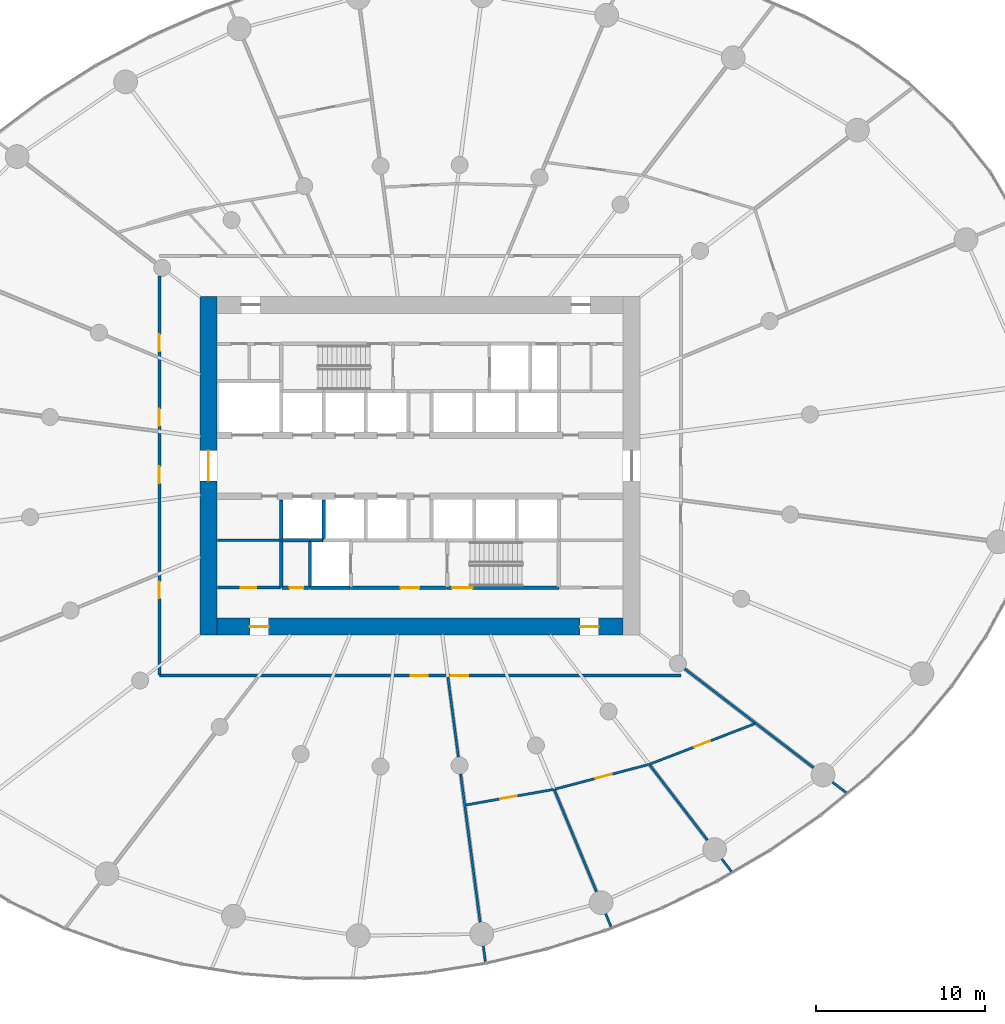
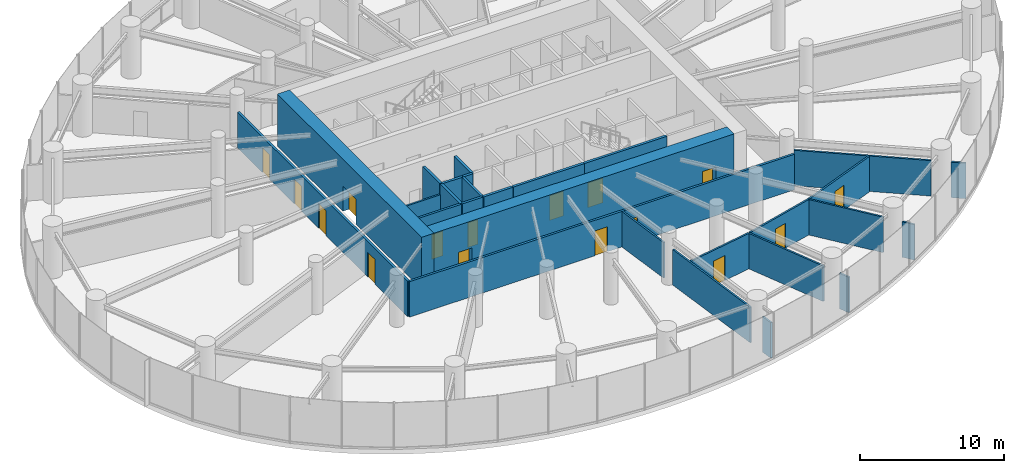
# One storey, part 11 of 18: 28 walls, 16 doors, 16 openings.
"""IFC4 building model written with IfcOpenShell, lengths in metres."""

from ifc_helpers import new_model, si_unit, direction, frame, frame_2d, origin, place, context, subcontext, project, spatial, rectangle, extrude, source, transform, mapped, material, layer, layer_set, type_object, element, fill, save


model = new_model("IFC4")

# Units and contexts
model_context = context("Model", 3, precision=1e-05, world=origin(), true_north=direction((0.0, 1.0)))
body_context = subcontext(model_context, "Body", "Model", "MODEL_VIEW")
ifc_project = project(units=[si_unit("LENGTHUNIT", "METRE"), si_unit("AREAUNIT", "SQUARE_METRE"), si_unit("VOLUMEUNIT", "CUBIC_METRE"), si_unit("PLANEANGLEUNIT", "RADIAN"), si_unit("MASSUNIT", "GRAM", prefix="KILO")], contexts=[model_context])

# Site, building, storey
site_placement = place(None, origin())
site = spatial("IfcSite", under=ifc_project, at=site_placement, CompositionType="ELEMENT")
building_placement = place(site_placement, origin())
building = spatial("IfcBuilding", under=site, at=building_placement, Name="Spindrift Exchange Tower", CompositionType="ELEMENT")
storey_placement = place(building_placement, frame((0.0, 0.0, 71.0)))
storey = spatial("IfcBuildingStorey", under=building, at=storey_placement, Name="L16", CompositionType="ELEMENT", Elevation=71.0)

# Wall, opening, door
ifc_material_1 = material(Name="Concrete 80 MPa", Category="concrete")
ifc_layer_1 = layer(ifc_material_1, 1.0)
ifc_layer_set_1 = layer_set([ifc_layer_1], Name="RC Core Wall 1000 Concrete 80 MPa")
wall_type_1 = type_object("IfcWallType", Name="RC Core Wall 1000 Concrete 80 MPa", PredefinedType="SHEAR", material=ifc_layer_set_1)
wall_1_placement = place(storey_placement, frame((39.5, 58.0, 0.0), z_axis=(0.0, 0.0, 1.0), x_axis=(0.0, -1.0, 0.0)))
wall_1 = element("IfcWall", 1, at=wall_1_placement, inside=storey, type_object=wall_type_1, Name="Core wall W L16", PredefinedType="SHEAR", context=body_context, shape_type="SweptSolid", body=[
    extrude(rectangle(XDim=20.0, YDim=1.0, at=frame_2d((10.0, 0.0))), origin(), (0.0, 0.0, 1.0), 4.39990234375),
])
opening_1_placement = place(wall_1_placement, frame((9.10009765625, 0.0, 0.0)))
opening_1 = element("IfcOpeningElement", 2, at=opening_1_placement, cuts=wall_1, Name="Opening L16-D1", PredefinedType="OPENING", context=body_context, shape_type="SweptSolid", body=[
    extrude(rectangle(XDim=1.800048828125, YDim=2.10009765625, at=frame_2d((0.89990234375, 1.050048828125))), frame((0.0, 0.510009765625, 0.0), z_axis=(0.0, -1.0, 0.0), x_axis=(1.0, 0.0, 0.0)), (0.0, 0.0, 1.0), 1.02001953125),
])
ifc_material_2 = material(Name="Timber-core fire door", Category="wood")
door_type_1 = type_object("IfcDoorType", Name="DR-LOBBY-1800", OperationType="NOTDEFINED", PredefinedType="DOOR", material=ifc_material_2)
shared_shape_1 = source(origin(), body_context, "Body", "SweptSolid", [
    extrude(rectangle(XDim=1.800048828125, YDim=2.10009765625, at=frame_2d((0.89990234375, 1.050048828125))), frame((0.0, 0.02490234375, 0.0), z_axis=(0.0, -1.0, 0.0), x_axis=(1.0, 0.0, 0.0)), (0.0, 0.0, 1.0), 0.050048828125),
])
door_1_placement = place(opening_1_placement, origin())
door_1 = element("IfcDoor", 3, at=door_1_placement, inside=storey, type_object=door_type_1, Name="L16 Lobby door 1", OperationType="SINGLE_SWING_LEFT", OverallHeight=2.10009765625, OverallWidth=1.800048828125, PredefinedType="DOOR", context=body_context, shape_type="MappedRepresentation", body=[
    mapped(shared_shape_1, transform((0.0, 0.0, 0.0), scale=1.0)),
])
fill(opening_1, door_1)

# Wall, openings, doors
wall_2_placement = place(storey_placement, frame((40.0, 38.5, 0.0), z_axis=(0.0, 0.0, 1.0), x_axis=(1.0, 0.0, 0.0)))
wall_2 = element("IfcWall", 4, at=wall_2_placement, inside=storey, type_object=wall_type_1, Name="Core wall S L16", PredefinedType="SHEAR", context=body_context, shape_type="SweptSolid", body=[
    extrude(rectangle(XDim=24.0, YDim=1.0, at=frame_2d((12.0, 0.0))), origin(), (0.0, 0.0, 1.0), 4.39990234375),
])
opening_2_placement = place(wall_2_placement, frame((21.449951171875, 0.0, 0.0)))
opening_2 = element("IfcOpeningElement", 5, at=opening_2_placement, cuts=wall_2, Name="Opening L16-D22", PredefinedType="OPENING", context=body_context, shape_type="SweptSolid", body=[
    extrude(rectangle(XDim=1.10009765625, YDim=2.10009765625, at=frame_2d((0.550048828125, 1.050048828125))), frame((0.0, 0.510009765625, 0.0), z_axis=(0.0, -1.0, 0.0), x_axis=(1.0, 0.0, 0.0)), (0.0, 0.0, 1.0), 1.02001953125),
])
opening_3_placement = place(wall_2_placement, frame((1.949951171875, 0.0, 0.0)))
opening_3 = element("IfcOpeningElement", 6, at=opening_3_placement, cuts=wall_2, Name="Opening L16-D23", PredefinedType="OPENING", context=body_context, shape_type="SweptSolid", body=[
    extrude(rectangle(XDim=1.10009765625, YDim=2.10009765625, at=frame_2d((0.550048828125, 1.050048828125))), frame((0.0, 0.510009765625, 0.0), z_axis=(0.0, -1.0, 0.0), x_axis=(1.0, 0.0, 0.0)), (0.0, 0.0, 1.0), 1.02001953125),
])
ifc_material_3 = material(Name="Steel fire door", Category="steel")
door_type_2 = type_object("IfcDoorType", Name="DR-STAIR-1100", OperationType="NOTDEFINED", PredefinedType="DOOR", material=ifc_material_3)
shared_shape_2 = source(origin(), body_context, "Body", "SweptSolid", [
    extrude(rectangle(XDim=1.10009765625, YDim=2.10009765625, at=frame_2d((0.550048828125, 1.050048828125))), frame((0.0, 0.02490234375, 0.0), z_axis=(0.0, -1.0, 0.0), x_axis=(1.0, 0.0, 0.0)), (0.0, 0.0, 1.0), 0.050048828125),
])
door_2_placement = place(opening_2_placement, origin())
door_2 = element("IfcDoor", 7, at=door_2_placement, inside=storey, type_object=door_type_2, Name="L16 Stair door 22", OperationType="SINGLE_SWING_RIGHT", OverallHeight=2.10009765625, OverallWidth=1.10009765625, PredefinedType="DOOR", context=body_context, shape_type="MappedRepresentation", body=[
    mapped(shared_shape_2, transform((0.0, 0.0, 0.0), scale=1.0)),
])
fill(opening_2, door_2)
door_3_placement = place(opening_3_placement, origin())
door_3 = element("IfcDoor", 8, at=door_3_placement, inside=storey, type_object=door_type_2, Name="L16 Stair door 23", OperationType="SINGLE_SWING_LEFT", OverallHeight=2.10009765625, OverallWidth=1.10009765625, PredefinedType="DOOR", context=body_context, shape_type="MappedRepresentation", body=[
    mapped(shared_shape_2, transform((0.0, 0.0, 0.0), scale=1.0)),
])
fill(opening_3, door_3)

ifc_material_4 = material(Name="Fire-rated plasterboard partition", Category="gypsum")
ifc_layer_2 = layer(ifc_material_4, 0.179931640625)
ifc_layer_set_2 = layer_set([ifc_layer_2], Name="W-CORR-180")
wall_type_2 = type_object("IfcWallType", Name="W-CORR-180", PredefinedType="PARTITIONING", material=ifc_layer_set_2)
wall_3_placement = place(storey_placement, frame((67.39990234375, 35.60009765625, 0.0), z_axis=(0.0, 0.0, 1.0), x_axis=(-1.0, 0.0, 0.0)))
wall_3 = element("IfcWall", 9, at=wall_3_placement, inside=storey, type_object=wall_type_2, Name="L16 Partition wall 57", PredefinedType="PARTITIONING", context=body_context, shape_type="SweptSolid", body=[
    extrude(rectangle(XDim=30.7998046875, YDim=0.179931640625, at=frame_2d((15.39990234375, 0.0))), origin(), (0.0, 0.0, 1.0), 3.0),
])
opening_4_placement = place(wall_3_placement, frame((14.949951171875, 0.0, 0.0)))
opening_4 = element("IfcOpeningElement", 10, at=opening_4_placement, cuts=wall_3, Name="Opening L16-D32", PredefinedType="OPENING", context=body_context, shape_type="SweptSolid", body=[
    extrude(rectangle(XDim=1.0, YDim=2.10009765625, at=frame_2d((0.5, 1.050048828125))), frame((0.0, 0.099853515625, 0.0), z_axis=(0.0, -1.0, 0.0), x_axis=(1.0, 0.0, 0.0)), (0.0, 0.0, 1.0), 0.199951171875),
])
opening_5_placement = place(wall_3_placement, frame((12.550048828125, 0.0, 0.0)))
opening_5 = element("IfcOpeningElement", 11, at=opening_5_placement, cuts=wall_3, Name="Opening L16-D33", PredefinedType="OPENING", context=body_context, shape_type="SweptSolid", body=[
    extrude(rectangle(XDim=1.0, YDim=2.10009765625, at=frame_2d((0.5, 1.050048828125))), frame((0.0, 0.099853515625, 0.0), z_axis=(0.0, -1.0, 0.0), x_axis=(1.0, 0.0, 0.0)), (0.0, 0.0, 1.0), 0.199951171875),
])
door_type_3 = type_object("IfcDoorType", Name="DR-ROOM-1000", OperationType="NOTDEFINED", PredefinedType="DOOR", material=ifc_material_2)
shared_shape_3 = source(origin(), body_context, "Body", "SweptSolid", [
    extrude(rectangle(XDim=1.0, YDim=2.10009765625, at=frame_2d((0.5, 1.050048828125))), frame((0.0, 0.02490234375, 0.0), z_axis=(0.0, -1.0, 0.0), x_axis=(1.0, 0.0, 0.0)), (0.0, 0.0, 1.0), 0.050048828125),
])
door_4_placement = place(opening_4_placement, origin())
door_4 = element("IfcDoor", 12, at=door_4_placement, inside=storey, type_object=door_type_3, Name="L16 Door 32", OperationType="SINGLE_SWING_RIGHT", OverallHeight=2.10009765625, OverallWidth=1.0, PredefinedType="DOOR", context=body_context, shape_type="MappedRepresentation", body=[
    mapped(shared_shape_3, transform((0.0, 0.0, 0.0), scale=1.0)),
])
fill(opening_4, door_4)
door_5_placement = place(opening_5_placement, origin())
door_5 = element("IfcDoor", 13, at=door_5_placement, inside=storey, type_object=door_type_3, Name="L16 Door 33", OperationType="SINGLE_SWING_LEFT", OverallHeight=2.10009765625, OverallWidth=1.0, PredefinedType="DOOR", context=body_context, shape_type="MappedRepresentation", body=[
    mapped(shared_shape_3, transform((0.0, 0.0, 0.0), scale=1.0)),
])
fill(opening_5, door_5)

# Wall, opening, door
wall_4_placement = place(storey_placement, frame((40.02001953125, 40.800048828125, 0.0), z_axis=(0.0, 0.0, 1.0), x_axis=(1.0, 0.0, 0.0)))
wall_4 = element("IfcWall", 14, at=wall_4_placement, inside=storey, type_object=wall_type_2, Name="L16 Partition wall 61", PredefinedType="PARTITIONING", context=body_context, shape_type="SweptSolid", body=[
    extrude(rectangle(XDim=3.75, YDim=0.179931640625, at=frame_2d((1.875, 0.0))), origin(), (0.0, 0.0, 1.0), 3.89990234375),
])
opening_6_placement = place(wall_4_placement, frame((1.39990234375, 0.0, 0.0)))
opening_6 = element("IfcOpeningElement", 15, at=opening_6_placement, cuts=wall_4, Name="Opening L16-D49", PredefinedType="OPENING", context=body_context, shape_type="SweptSolid", body=[
    extrude(rectangle(XDim=0.89990234375, YDim=2.10009765625, at=frame_2d((0.449951171875, 1.050048828125))), frame((0.0, 0.099853515625, 0.0), z_axis=(0.0, -1.0, 0.0), x_axis=(1.0, 0.0, 0.0)), (0.0, 0.0, 1.0), 0.199951171875),
])
ifc_material_5 = material(Name="Steel access door", Category="steel")
door_type_4 = type_object("IfcDoorType", Name="DR-RISER-900", OperationType="NOTDEFINED", PredefinedType="DOOR", material=ifc_material_5)
shared_shape_4 = source(origin(), body_context, "Body", "SweptSolid", [
    extrude(rectangle(XDim=0.89990234375, YDim=2.10009765625, at=frame_2d((0.449951171875, 1.050048828125))), frame((0.0, 0.02490234375, 0.0), z_axis=(0.0, -1.0, 0.0), x_axis=(1.0, 0.0, 0.0)), (0.0, 0.0, 1.0), 0.050048828125),
])
door_6_placement = place(opening_6_placement, origin())
door_6 = element("IfcDoor", 16, at=door_6_placement, inside=storey, type_object=door_type_4, Name="L16 Riser door 49", OperationType="SINGLE_SWING_LEFT", OverallHeight=2.10009765625, OverallWidth=0.89990234375, PredefinedType="DOOR", context=body_context, shape_type="MappedRepresentation", body=[
    mapped(shared_shape_4, transform((0.0, 0.0, 0.0), scale=1.0)),
])
fill(opening_6, door_6)

# Walls
ifc_layer_3 = layer(ifc_material_4, 0.139892578125)
ifc_layer_set_3 = layer_set([ifc_layer_3], Name="W-PART-140")
wall_type_3 = type_object("IfcWallType", Name="W-PART-140", PredefinedType="PARTITIONING", material=ifc_layer_set_3)
wall_5_placement = place(storey_placement, frame((67.632568359375, 36.004638671875, 0.0), z_axis=(0.0, 0.0, 1.0), x_axis=(0.793366218398, -0.608744645566, 0.0)))
element("IfcWall", 17, at=wall_5_placement, inside=storey, type_object=wall_type_3, Name="L16 Partition wall 71", PredefinedType="PARTITIONING", context=body_context, shape_type="SweptSolid", body=[
    extrude(rectangle(XDim=9.59130859375, YDim=0.139892578125, at=frame_2d((4.795654296875, 0.0))), origin(), (0.0, 0.0, 1.0), 3.0),
])
wall_6_placement = place(storey_placement, frame((55.5498046875, 21.036865234375, 0.0), z_axis=(0.0, 0.0, 1.0), x_axis=(-0.130534568438, 0.991443758588, 0.0)))
element("IfcWall", 18, at=wall_6_placement, inside=storey, type_object=wall_type_3, Name="L16 Partition wall 73", PredefinedType="PARTITIONING", context=body_context, shape_type="SweptSolid", body=[
    extrude(rectangle(XDim=8.83544921875, YDim=0.139892578125, at=frame_2d((4.417724609375, 0.0))), origin(), (0.0, 0.0, 1.0), 3.0),
])

# Wall, opening, door
wall_7_placement = place(storey_placement, frame((71.752685546875, 32.755126953125, 0.0), z_axis=(0.0, 0.0, 1.0), x_axis=(-0.933202930279, -0.359349816917, 0.0)))
wall_7 = element("IfcWall", 19, at=wall_7_placement, inside=storey, type_object=wall_type_3, Name="L16 Partition wall 78", PredefinedType="PARTITIONING", context=body_context, shape_type="SweptSolid", body=[
    extrude(rectangle(XDim=6.662841796875, YDim=0.139892578125, at=frame_2d((3.33154296875, 0.0))), origin(), (0.0, 0.0, 1.0), 3.0),
])
opening_7_placement = place(wall_7_placement, frame((2.8125, 0.0, 0.0)))
opening_7 = element("IfcOpeningElement", 20, at=opening_7_placement, cuts=wall_7, Name="Opening L16-D36", PredefinedType="OPENING", context=body_context, shape_type="SweptSolid", body=[
    extrude(rectangle(XDim=1.0, YDim=2.10009765625, at=frame_2d((0.5, 1.050048828125))), frame((0.0, 0.079833984375, 0.0), z_axis=(0.0, -1.0, 0.0), x_axis=(1.0, 0.0, 0.0)), (0.0, 0.0, 1.0), 0.159912109375),
])
door_7_placement = place(opening_7_placement, origin())
door_7 = element("IfcDoor", 21, at=door_7_placement, inside=storey, type_object=door_type_3, Name="L16 Door 36", OperationType="SINGLE_SWING_RIGHT", OverallHeight=2.10009765625, OverallWidth=1.0, PredefinedType="DOOR", context=body_context, shape_type="MappedRepresentation", body=[
    mapped(shared_shape_3, transform((0.0, 0.0, 0.0), scale=1.0)),
])
fill(opening_7, door_7)

# Wall
wall_8_placement = place(storey_placement, frame((59.91748046875, 28.8857421875, 0.0), z_axis=(0.0, 0.0, 1.0), x_axis=(0.382663867465, -0.923887636315, 0.0)))
element("IfcWall", 22, at=wall_8_placement, inside=storey, type_object=wall_type_3, Name="L16 Partition wall 80", PredefinedType="PARTITIONING", context=body_context, shape_type="SweptSolid", body=[
    extrude(rectangle(XDim=6.540771484375, YDim=0.139892578125, at=frame_2d((3.2705078125, 0.0))), origin(), (0.0, 0.0, 1.0), 3.0),
])

# Wall, opening, door
wall_9_placement = place(storey_placement, frame((65.506103515625, 30.353271484375, 0.0), z_axis=(0.0, 0.0, 1.0), x_axis=(-0.967206275549, -0.253992166293, 0.0)))
wall_9 = element("IfcWall", 23, at=wall_9_placement, inside=storey, type_object=wall_type_3, Name="L16 Partition wall 85", PredefinedType="PARTITIONING", context=body_context, shape_type="SweptSolid", body=[
    extrude(rectangle(XDim=5.707763671875, YDim=0.139892578125, at=frame_2d((2.85400390625, 0.0))), origin(), (0.0, 0.0, 1.0), 3.0),
])
opening_8_placement = place(wall_9_placement, frame((2.25732421875, 0.0, 0.0)))
opening_8 = element("IfcOpeningElement", 24, at=opening_8_placement, cuts=wall_9, Name="Opening L16-D35", PredefinedType="OPENING", context=body_context, shape_type="SweptSolid", body=[
    extrude(rectangle(XDim=1.0, YDim=2.10009765625, at=frame_2d((0.5, 1.050048828125))), frame((0.0, 0.079833984375, 0.0), z_axis=(0.0, -1.0, 0.0), x_axis=(1.0, 0.0, 0.0)), (0.0, 0.0, 1.0), 0.159912109375),
])
door_8_placement = place(opening_8_placement, origin())
door_8 = element("IfcDoor", 25, at=door_8_placement, inside=storey, type_object=door_type_3, Name="L16 Door 35", OperationType="SINGLE_SWING_LEFT", OverallHeight=2.10009765625, OverallWidth=1.0, PredefinedType="DOOR", context=body_context, shape_type="MappedRepresentation", body=[
    mapped(shared_shape_3, transform((0.0, 0.0, 0.0), scale=1.0)),
])
fill(opening_8, door_8)

# Wall
wall_10_placement = place(storey_placement, frame((65.579345703125, 30.302978515625, 0.0), z_axis=(0.0, 0.0, 1.0), x_axis=(0.608777700967, -0.793340854113, 0.0)))
element("IfcWall", 26, at=wall_10_placement, inside=storey, type_object=wall_type_3, Name="L16 Partition wall 88", PredefinedType="PARTITIONING", context=body_context, shape_type="SweptSolid", body=[
    extrude(rectangle(XDim=5.56640625, YDim=0.139892578125, at=frame_2d((2.783203125, 0.0))), origin(), (0.0, 0.0, 1.0), 3.0),
])

# Wall, opening, door
wall_11_placement = place(storey_placement, frame((59.887939453125, 28.880615234375, 0.0), z_axis=(0.0, 0.0, 1.0), x_axis=(-0.984613478477, -0.17474638194, 0.0)))
wall_11 = element("IfcWall", 27, at=wall_11_placement, inside=storey, type_object=wall_type_3, Name="L16 Partition wall 89", PredefinedType="PARTITIONING", context=body_context, shape_type="SweptSolid", body=[
    extrude(rectangle(XDim=5.26025390625, YDim=0.139892578125, at=frame_2d((2.630126953125, 0.0))), origin(), (0.0, 0.0, 1.0), 3.0),
])
opening_9_placement = place(wall_11_placement, frame((2.210205078125, 0.0, 0.0)))
opening_9 = element("IfcOpeningElement", 28, at=opening_9_placement, cuts=wall_11, Name="Opening L16-D34", PredefinedType="OPENING", context=body_context, shape_type="SweptSolid", body=[
    extrude(rectangle(XDim=1.0, YDim=2.10009765625, at=frame_2d((0.5, 1.050048828125))), frame((0.0, 0.079833984375, 0.0), z_axis=(0.0, -1.0, 0.0), x_axis=(1.0, 0.0, 0.0)), (0.0, 0.0, 1.0), 0.159912109375),
])
door_9_placement = place(opening_9_placement, origin())
door_9 = element("IfcDoor", 29, at=door_9_placement, inside=storey, type_object=door_type_3, Name="L16 Door 34", OperationType="SINGLE_SWING_RIGHT", OverallHeight=2.10009765625, OverallWidth=1.0, PredefinedType="DOOR", context=body_context, shape_type="MappedRepresentation", body=[
    mapped(shared_shape_3, transform((0.0, 0.0, 0.0), scale=1.0)),
])
fill(opening_9, door_9)

# Walls
wall_12_placement = place(storey_placement, frame((53.644287109375, 35.510009765625, 0.0), z_axis=(0.0, 0.0, 1.0), x_axis=(0.130548834981, -0.991441880135, 0.0)))
element("IfcWall", 30, at=wall_12_placement, inside=storey, type_object=wall_type_3, Name="L16 Partition wall 94", PredefinedType="PARTITIONING", context=body_context, shape_type="SweptSolid", body=[
    extrude(rectangle(XDim=4.75390625, YDim=0.139892578125, at=frame_2d((2.376953125, 0.0))), origin(), (0.0, 0.0, 1.0), 3.0),
])
wall_13_placement = place(storey_placement, frame((43.77001953125, 43.60009765625, 0.0), z_axis=(0.0, 0.0, 1.0), x_axis=(-1.0, 0.0, 0.0)))
element("IfcWall", 31, at=wall_13_placement, inside=storey, type_object=wall_type_3, Name="L16 Partition wall 100", PredefinedType="PARTITIONING", context=body_context, shape_type="SweptSolid", body=[
    extrude(rectangle(XDim=3.75, YDim=0.139892578125, at=frame_2d((1.875, 0.0))), origin(), (0.0, 0.0, 1.0), 3.0),
])
wall_14_placement = place(storey_placement, frame((77.1728515625, 28.68408203125, 0.0), z_axis=(0.0, 0.0, 1.0), x_axis=(-0.793207707095, 0.608951174895, 0.0)))
element("IfcWall", 32, at=wall_14_placement, inside=storey, type_object=wall_type_3, Name="L16 Partition wall 120", PredefinedType="PARTITIONING", context=body_context, shape_type="SweptSolid", body=[
    extrude(rectangle(XDim=1.025634765625, YDim=0.139892578125, at=frame_2d((0.5126953125, 0.0))), origin(), (0.0, 0.0, 1.0), 3.0),
])
wall_15_placement = place(storey_placement, frame((55.733642578125, 19.640380859375, 0.0), z_axis=(0.0, 0.0, 1.0), x_axis=(0.130495264695, -0.991448932569, 0.0)))
element("IfcWall", 33, at=wall_15_placement, inside=storey, type_object=wall_type_3, Name="L16 Partition wall 121", PredefinedType="PARTITIONING", context=body_context, shape_type="SweptSolid", body=[
    extrude(rectangle(XDim=0.929931640625, YDim=0.139892578125, at=frame_2d((0.46484375, 0.0))), origin(), (0.0, 0.0, 1.0), 3.0),
])
wall_16_placement = place(storey_placement, frame((69.8251953125, 24.76953125, 0.0), z_axis=(0.0, 0.0, 1.0), x_axis=(0.609005189918, -0.793166236455, 0.0)))
element("IfcWall", 34, at=wall_16_placement, inside=storey, type_object=wall_type_3, Name="L16 Partition wall 123", PredefinedType="PARTITIONING", context=body_context, shape_type="SweptSolid", body=[
    extrude(rectangle(XDim=0.919921875, YDim=0.139892578125, at=frame_2d((0.4599609375, 0.0))), origin(), (0.0, 0.0, 1.0), 3.0),
])
wall_17_placement = place(storey_placement, frame((62.960205078125, 21.5400390625, 0.0), z_axis=(0.0, 0.0, 1.0), x_axis=(0.382641988431, -0.923896698062, 0.0)))
element("IfcWall", 35, at=wall_17_placement, inside=storey, type_object=wall_type_3, Name="L16 Partition wall 125", PredefinedType="PARTITIONING", context=body_context, shape_type="SweptSolid", body=[
    extrude(rectangle(XDim=0.8173828125, YDim=0.139892578125, at=frame_2d((0.40869140625, 0.0))), origin(), (0.0, 0.0, 1.0), 3.0),
])

# Wall, openings, doors
ifc_layer_4 = layer(ifc_material_4, 0.179931640625)
ifc_layer_set_4 = layer_set([ifc_layer_4], Name="W-PLANT-180")
wall_type_4 = type_object("IfcWallType", Name="W-PLANT-180", PredefinedType="PARTITIONING", material=ifc_layer_set_4)
wall_18_placement = place(storey_placement, frame((36.60009765625, 35.6298828125, 0.0), z_axis=(0.0, 0.0, 1.0), x_axis=(0.0, 1.0, 0.0)))
wall_18 = element("IfcWall", 36, at=wall_18_placement, inside=storey, type_object=wall_type_4, Name="L16 Partition wall 60", PredefinedType="PARTITIONING", context=body_context, shape_type="SweptSolid", body=[
    extrude(rectangle(XDim=23.58251953125, YDim=0.179931640625, at=frame_2d((11.791259765625, 0.0))), origin(), (0.0, 0.0, 1.0), 3.0),
])
opening_10_placement = place(wall_18_placement, frame((19.132568359375, 0.0, 0.0)))
opening_10 = element("IfcOpeningElement", 37, at=opening_10_placement, cuts=wall_18, Name="Opening L16-D27", PredefinedType="OPENING", context=body_context, shape_type="SweptSolid", body=[
    extrude(rectangle(XDim=1.0, YDim=2.10009765625, at=frame_2d((0.5, 1.050048828125))), frame((0.0, 0.099853515625, 0.0), z_axis=(0.0, -1.0, 0.0), x_axis=(1.0, 0.0, 0.0)), (0.0, 0.0, 1.0), 0.199951171875),
])
opening_11_placement = place(wall_18_placement, frame((14.732421875, 0.0, 0.0)))
opening_11 = element("IfcOpeningElement", 38, at=opening_11_placement, cuts=wall_18, Name="Opening L16-D29", PredefinedType="OPENING", context=body_context, shape_type="SweptSolid", body=[
    extrude(rectangle(XDim=1.0, YDim=2.10009765625, at=frame_2d((0.5, 1.050048828125))), frame((0.0, 0.099853515625, 0.0), z_axis=(0.0, -1.0, 0.0), x_axis=(1.0, 0.0, 0.0)), (0.0, 0.0, 1.0), 0.199951171875),
])
opening_12_placement = place(wall_18_placement, frame((11.33251953125, 0.0, 0.0)))
opening_12 = element("IfcOpeningElement", 39, at=opening_12_placement, cuts=wall_18, Name="Opening L16-D30", PredefinedType="OPENING", context=body_context, shape_type="SweptSolid", body=[
    extrude(rectangle(XDim=1.0, YDim=2.10009765625, at=frame_2d((0.5, 1.050048828125))), frame((0.0, 0.099853515625, 0.0), z_axis=(0.0, -1.0, 0.0), x_axis=(1.0, 0.0, 0.0)), (0.0, 0.0, 1.0), 0.199951171875),
])
opening_13_placement = place(wall_18_placement, frame((4.532470703125, 0.0, 0.0)))
opening_13 = element("IfcOpeningElement", 40, at=opening_13_placement, cuts=wall_18, Name="Opening L16-D31", PredefinedType="OPENING", context=body_context, shape_type="SweptSolid", body=[
    extrude(rectangle(XDim=1.0, YDim=2.10009765625, at=frame_2d((0.5, 1.050048828125))), frame((0.0, 0.099853515625, 0.0), z_axis=(0.0, -1.0, 0.0), x_axis=(1.0, 0.0, 0.0)), (0.0, 0.0, 1.0), 0.199951171875),
])
door_10_placement = place(opening_10_placement, origin())
door_10 = element("IfcDoor", 41, at=door_10_placement, inside=storey, type_object=door_type_3, Name="L16 Door 27", OperationType="SINGLE_SWING_LEFT", OverallHeight=2.10009765625, OverallWidth=1.0, PredefinedType="DOOR", context=body_context, shape_type="MappedRepresentation", body=[
    mapped(shared_shape_3, transform((0.0, 0.0, 0.0), scale=1.0)),
])
fill(opening_10, door_10)
door_11_placement = place(opening_11_placement, origin())
door_11 = element("IfcDoor", 42, at=door_11_placement, inside=storey, type_object=door_type_3, Name="L16 Door 29", OperationType="SINGLE_SWING_LEFT", OverallHeight=2.10009765625, OverallWidth=1.0, PredefinedType="DOOR", context=body_context, shape_type="MappedRepresentation", body=[
    mapped(shared_shape_3, transform((0.0, 0.0, 0.0), scale=1.0)),
])
fill(opening_11, door_11)
door_12_placement = place(opening_12_placement, origin())
door_12 = element("IfcDoor", 43, at=door_12_placement, inside=storey, type_object=door_type_3, Name="L16 Door 30", OperationType="SINGLE_SWING_RIGHT", OverallHeight=2.10009765625, OverallWidth=1.0, PredefinedType="DOOR", context=body_context, shape_type="MappedRepresentation", body=[
    mapped(shared_shape_3, transform((0.0, 0.0, 0.0), scale=1.0)),
])
fill(opening_12, door_12)
door_13_placement = place(opening_13_placement, origin())
door_13 = element("IfcDoor", 44, at=door_13_placement, inside=storey, type_object=door_type_3, Name="L16 Door 31", OperationType="SINGLE_SWING_LEFT", OverallHeight=2.10009765625, OverallWidth=1.0, PredefinedType="DOOR", context=body_context, shape_type="MappedRepresentation", body=[
    mapped(shared_shape_3, transform((0.0, 0.0, 0.0), scale=1.0)),
])
fill(opening_13, door_13)

# Walls
ifc_material_6 = material(Name="Concrete 40 MPa", Category="concrete")
ifc_layer_5 = layer(ifc_material_6, 0.199951171875)
ifc_layer_set_5 = layer_set([ifc_layer_5], Name="W-SHAFT-200")
wall_type_5 = type_object("IfcWallType", Name="W-SHAFT-200", PredefinedType="SOLIDWALL", material=ifc_layer_set_5)
for number, where, z_axis, x_axis, name in (
    (45, (43.800048828125, 43.60009765625, 0.0), (0.0, 0.0, 1.0), (0.0, -1.0, 0.0), "L16 Shaft wall 6"),
    (46, (45.5, 43.60009765625, 0.0), (0.0, 0.0, 1.0), (0.0, -1.0, 0.0), "L16 Shaft wall 7"),
):
    element("IfcWall", number, at=place(storey_placement, frame(where, z_axis=z_axis, x_axis=x_axis)), inside=storey, type_object=wall_type_5, Name=name, PredefinedType="SOLIDWALL", context=body_context, shape_type="SweptSolid", body=[
        extrude(rectangle(XDim=2.800048828125, YDim=0.199951171875, at=frame_2d((1.39990234375, 0.0))), origin(), (0.0, 0.0, 1.0), 3.89990234375),
    ])
wall_19_placement = place(storey_placement, frame((45.530029296875, 40.800048828125, 0.0), z_axis=(0.0, 0.0, 1.0), x_axis=(1.0, 0.0, 0.0)))
element("IfcWall", 47, at=wall_19_placement, inside=storey, type_object=wall_type_5, Name="L16 Shaft wall 21", PredefinedType="SOLIDWALL", context=body_context, shape_type="SweptSolid", body=[
    extrude(rectangle(XDim=2.340087890625, YDim=0.199951171875, at=frame_2d((1.169921875, 0.0))), origin(), (0.0, 0.0, 1.0), 3.89990234375),
])
wall_20_placement = place(storey_placement, frame((43.800048828125, 45.989990234375, 0.0), z_axis=(0.0, 0.0, 1.0), x_axis=(0.0, -1.0, 0.0)))
element("IfcWall", 48, at=wall_20_placement, inside=storey, type_object=wall_type_5, Name="L16 Shaft wall 23", PredefinedType="SOLIDWALL", context=body_context, shape_type="SweptSolid", body=[
    extrude(rectangle(XDim=2.360107421875, YDim=0.199951171875, at=frame_2d((1.18017578125, 0.0))), origin(), (0.0, 0.0, 1.0), 3.89990234375),
])
wall_21_placement = place(storey_placement, frame((46.300048828125, 43.60009765625, 0.0), z_axis=(0.0, 0.0, 1.0), x_axis=(0.0, 1.0, 0.0)))
element("IfcWall", 49, at=wall_21_placement, inside=storey, type_object=wall_type_5, Name="L16 Shaft wall 25", PredefinedType="SOLIDWALL", context=body_context, shape_type="SweptSolid", body=[
    extrude(rectangle(XDim=2.389892578125, YDim=0.199951171875, at=frame_2d((1.19482421875, 0.0))), origin(), (0.0, 0.0, 1.0), 3.89990234375),
])
wall_22_placement = place(storey_placement, frame((43.830078125, 43.60009765625, 0.0), z_axis=(0.0, 0.0, 1.0), x_axis=(1.0, 0.0, 0.0)))
element("IfcWall", 50, at=wall_22_placement, inside=storey, type_object=wall_type_5, Name="L16 Shaft wall 40", PredefinedType="SOLIDWALL", context=body_context, shape_type="SweptSolid", body=[
    extrude(rectangle(XDim=1.639892578125, YDim=0.199951171875, at=frame_2d((0.81982421875, 0.0))), origin(), (0.0, 0.0, 1.0), 3.89990234375),
])

# Wall, opening, door
wall_23_placement = place(storey_placement, frame((43.830078125, 40.800048828125, 0.0), z_axis=(0.0, 0.0, 1.0), x_axis=(1.0, 0.0, 0.0)))
wall_23 = element("IfcWall", 51, at=wall_23_placement, inside=storey, type_object=wall_type_5, Name="L16 Shaft wall 41", PredefinedType="SOLIDWALL", context=body_context, shape_type="SweptSolid", body=[
    extrude(rectangle(XDim=1.639892578125, YDim=0.199951171875, at=frame_2d((0.81982421875, 0.0))), origin(), (0.0, 0.0, 1.0), 3.89990234375),
])
opening_14_placement = place(wall_23_placement, frame((0.469970703125, 0.0, 0.0)))
opening_14 = element("IfcOpeningElement", 52, at=opening_14_placement, cuts=wall_23, Name="Opening L16-D19", PredefinedType="OPENING", context=body_context, shape_type="SweptSolid", body=[
    extrude(rectangle(XDim=0.800048828125, YDim=2.10009765625, at=frame_2d((0.39990234375, 1.050048828125))), frame((0.0, 0.10986328125, 0.0), z_axis=(0.0, -1.0, 0.0), x_axis=(1.0, 0.0, 0.0)), (0.0, 0.0, 1.0), 0.219970703125),
])
door_type_5 = type_object("IfcDoorType", Name="DR-RISER-800", OperationType="NOTDEFINED", PredefinedType="DOOR", material=ifc_material_5)
shared_shape_5 = source(origin(), body_context, "Body", "SweptSolid", [
    extrude(rectangle(XDim=0.800048828125, YDim=2.10009765625, at=frame_2d((0.39990234375, 1.050048828125))), frame((0.0, 0.02490234375, 0.0), z_axis=(0.0, -1.0, 0.0), x_axis=(1.0, 0.0, 0.0)), (0.0, 0.0, 1.0), 0.050048828125),
])
door_14_placement = place(opening_14_placement, origin())
door_14 = element("IfcDoor", 53, at=door_14_placement, inside=storey, type_object=door_type_5, Name="L16 Riser door 19", OperationType="SINGLE_SWING_LEFT", OverallHeight=2.10009765625, OverallWidth=0.800048828125, PredefinedType="DOOR", context=body_context, shape_type="MappedRepresentation", body=[
    mapped(shared_shape_5, transform((0.0, 0.0, 0.0), scale=1.0)),
])
fill(opening_14, door_14)

# Wall
wall_24_placement = place(storey_placement, frame((45.530029296875, 43.60009765625, 0.0), z_axis=(0.0, 0.0, 1.0), x_axis=(1.0, 0.0, 0.0)))
element("IfcWall", 54, at=wall_24_placement, inside=storey, type_object=wall_type_5, Name="L16 Shaft wall 54", PredefinedType="SOLIDWALL", context=body_context, shape_type="SweptSolid", body=[
    extrude(rectangle(XDim=0.739990234375, YDim=0.199951171875, at=frame_2d((0.3701171875, 0.0))), origin(), (0.0, 0.0, 1.0), 3.89990234375),
])

# Wall, opening, door
ifc_layer_6 = layer(ifc_material_6, 0.199951171875)
ifc_layer_set_6 = layer_set([ifc_layer_6], Name="W-SHAFT-200-LB")
wall_type_6 = type_object("IfcWallType", Name="W-SHAFT-200-LB", PredefinedType="SOLIDWALL", material=ifc_layer_set_6)
wall_25_placement = place(storey_placement, frame((53.60009765625, 40.800048828125, 0.0), z_axis=(0.0, 0.0, 1.0), x_axis=(1.0, 0.0, 0.0)))
wall_25 = element("IfcWall", 55, at=wall_25_placement, inside=storey, type_object=wall_type_6, Name="L16 Shaft wall 2", PredefinedType="SOLIDWALL", context=body_context, shape_type="SweptSolid", body=[
    extrude(rectangle(XDim=6.599853515625, YDim=0.199951171875, at=frame_2d((3.2998046875, 0.0))), origin(), (0.0, 0.0, 1.0), 3.89990234375),
])
opening_15_placement = place(wall_25_placement, frame((0.300048828125, 0.0, 0.0)))
opening_15 = element("IfcOpeningElement", 56, at=opening_15_placement, cuts=wall_25, Name="Opening L16-D16", PredefinedType="OPENING", context=body_context, shape_type="SweptSolid", body=[
    extrude(rectangle(XDim=1.199951171875, YDim=2.10009765625, at=frame_2d((0.60009765625, 1.050048828125))), frame((0.0, 0.10986328125, 0.0), z_axis=(0.0, -1.0, 0.0), x_axis=(1.0, 0.0, 0.0)), (0.0, 0.0, 1.0), 0.219970703125),
])
door_type_6 = type_object("IfcDoorType", Name="DR-STAIR-1200", OperationType="NOTDEFINED", PredefinedType="DOOR", material=ifc_material_3)
shared_shape_6 = source(origin(), body_context, "Body", "SweptSolid", [
    extrude(rectangle(XDim=1.199951171875, YDim=2.10009765625, at=frame_2d((0.60009765625, 1.050048828125))), frame((0.0, 0.02490234375, 0.0), z_axis=(0.0, -1.0, 0.0), x_axis=(1.0, 0.0, 0.0)), (0.0, 0.0, 1.0), 0.050048828125),
])
door_15_placement = place(opening_15_placement, origin())
door_15 = element("IfcDoor", 57, at=door_15_placement, inside=storey, type_object=door_type_6, Name="L16 Stair door 16", OperationType="SINGLE_SWING_RIGHT", OverallHeight=2.10009765625, OverallWidth=1.199951171875, PredefinedType="DOOR", context=body_context, shape_type="MappedRepresentation", body=[
    mapped(shared_shape_6, transform((0.0, 0.0, 0.0), scale=1.0)),
])
fill(opening_15, door_15)

wall_26_placement = place(storey_placement, frame((47.89990234375, 40.800048828125, 0.0), z_axis=(0.0, 0.0, 1.0), x_axis=(1.0, 0.0, 0.0)))
wall_26 = element("IfcWall", 58, at=wall_26_placement, inside=storey, type_object=wall_type_6, Name="L16 Shaft wall 3", PredefinedType="SOLIDWALL", context=body_context, shape_type="SweptSolid", body=[
    extrude(rectangle(XDim=5.670166015625, YDim=0.199951171875, at=frame_2d((2.8349609375, 0.0))), origin(), (0.0, 0.0, 1.0), 3.89990234375),
])
opening_16_placement = place(wall_26_placement, frame((2.949951171875, 0.0, 0.0)))
opening_16 = element("IfcOpeningElement", 59, at=opening_16_placement, cuts=wall_26, Name="Opening L16-D18", PredefinedType="OPENING", context=body_context, shape_type="SweptSolid", body=[
    extrude(rectangle(XDim=1.10009765625, YDim=2.10009765625, at=frame_2d((0.550048828125, 1.050048828125))), frame((0.0, 0.10986328125, 0.0), z_axis=(0.0, -1.0, 0.0), x_axis=(1.0, 0.0, 0.0)), (0.0, 0.0, 1.0), 0.219970703125),
])
door_type_7 = type_object("IfcDoorType", Name="DR-LOBBY-1100", OperationType="NOTDEFINED", PredefinedType="DOOR", material=ifc_material_2)
shared_shape_7 = source(origin(), body_context, "Body", "SweptSolid", [
    extrude(rectangle(XDim=1.10009765625, YDim=2.10009765625, at=frame_2d((0.550048828125, 1.050048828125))), frame((0.0, 0.02490234375, 0.0), z_axis=(0.0, -1.0, 0.0), x_axis=(1.0, 0.0, 0.0)), (0.0, 0.0, 1.0), 0.050048828125),
])
door_16_placement = place(opening_16_placement, origin())
door_16 = element("IfcDoor", 60, at=door_16_placement, inside=storey, type_object=door_type_7, Name="L16 Lobby door 18", OperationType="SINGLE_SWING_RIGHT", OverallHeight=2.10009765625, OverallWidth=1.10009765625, PredefinedType="DOOR", context=body_context, shape_type="MappedRepresentation", body=[
    mapped(shared_shape_7, transform((0.0, 0.0, 0.0), scale=1.0)),
])
fill(opening_16, door_16)

save(model, "model.ifc")
